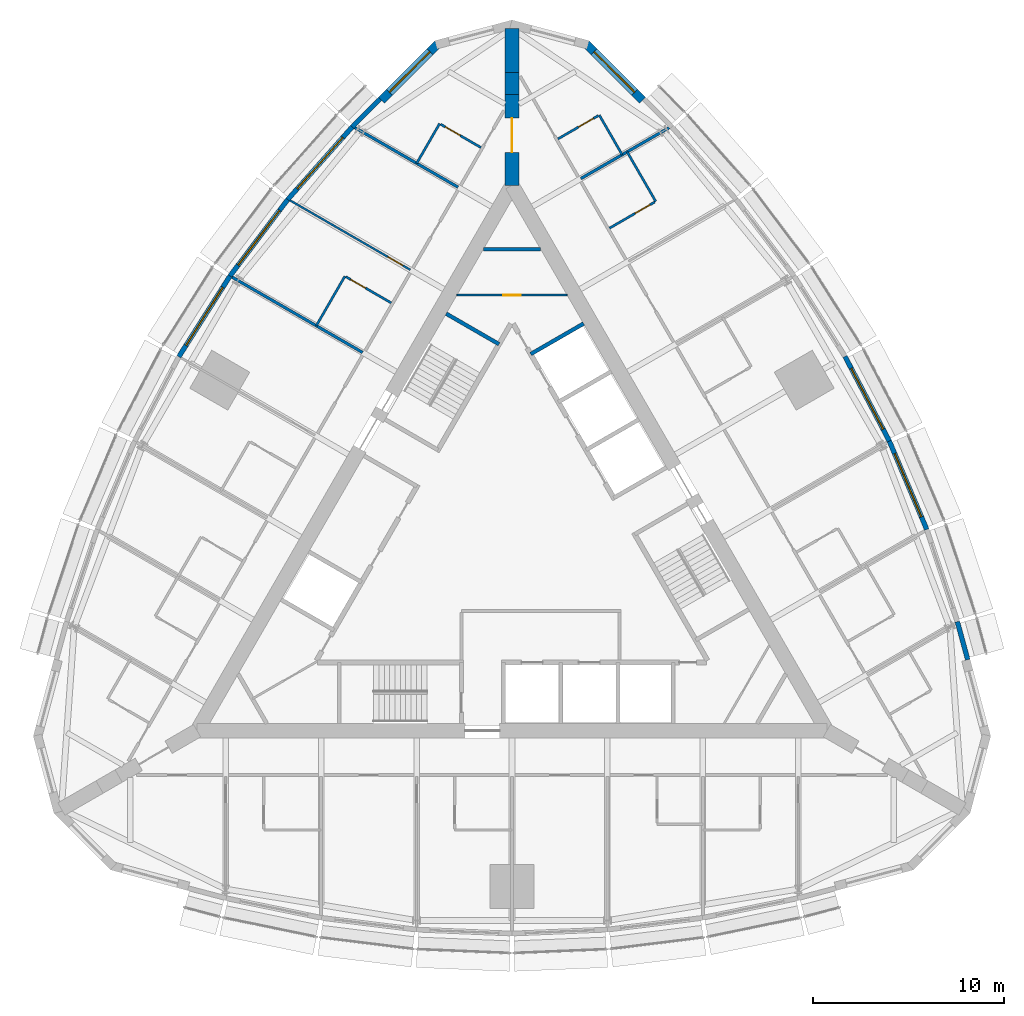
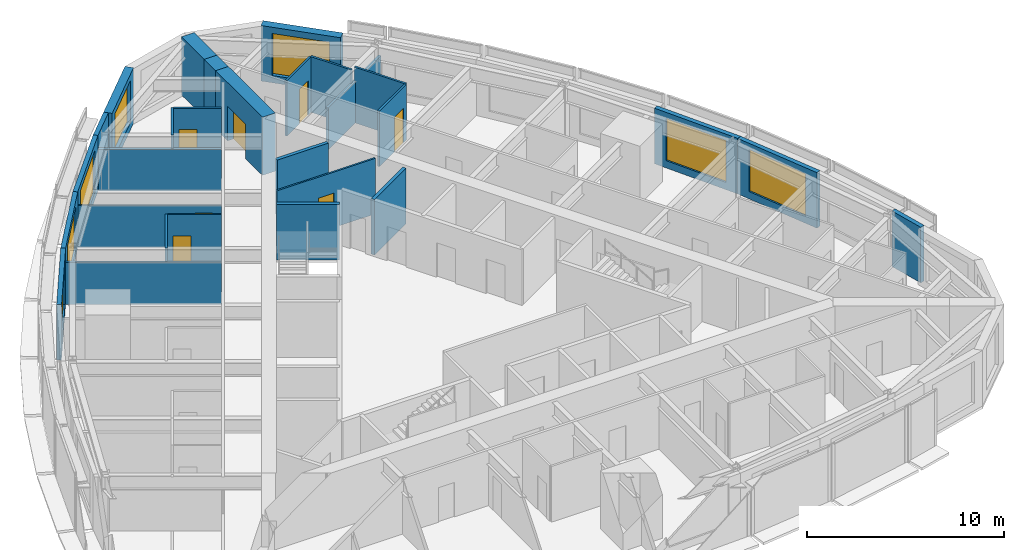
# One storey, part 13 of 15: 28 walls, 7 doors, 7 windows, 14 openings.
"""IFC4 building model written with IfcOpenShell, lengths in metres."""

from ifc_helpers import new_model, si_unit, direction, frame, frame_2d, origin, place, context, subcontext, project, spatial, rectangle, extrude, material, layer, layer_set, type_object, element, fill, save


model = new_model("IFC4")

# Units and contexts
model_context = context("Model", 3, precision=1e-05, world=origin(), true_north=direction((0.0, 1.0)))
body_context = subcontext(model_context, "Body", "Model", "MODEL_VIEW")
ifc_project = project(units=[si_unit("LENGTHUNIT", "METRE"), si_unit("AREAUNIT", "SQUARE_METRE"), si_unit("VOLUMEUNIT", "CUBIC_METRE"), si_unit("PLANEANGLEUNIT", "RADIAN"), si_unit("MASSUNIT", "GRAM", prefix="KILO")], contexts=[model_context])

# Site, building, storey
site_placement = place(None, origin())
site = spatial("IfcSite", under=ifc_project, at=site_placement, CompositionType="ELEMENT")
building_placement = place(site_placement, origin())
building = spatial("IfcBuilding", under=site, at=building_placement, Name="Trikona Tower", CompositionType="ELEMENT")
storey_placement = place(building_placement, frame((0.0, 0.0, 215.300048828125)))
storey = spatial("IfcBuildingStorey", under=building, at=storey_placement, Name="L57", CompositionType="ELEMENT", Elevation=215.300048828125)

# Wall
ifc_material_1 = material(Name="Metal stud and cement board", Category="gypsum")
ifc_layer_1 = layer(ifc_material_1, 0.1201171875)
ifc_layer_set_1 = layer_set([ifc_layer_1], Name="Bathroom wall 120")
wall_type_1 = type_object("IfcWallType", Name="Bathroom wall 120", PredefinedType="PLUMBINGWALL", material=ifc_layer_set_1)
wall_1_placement = place(storey_placement, frame((7.53271484375, 18.205322265625, 0.0), z_axis=(0.0, 0.0, 1.0), x_axis=(-0.499990139034, 0.866031096941, 0.0)))
element("IfcWall", 1, at=wall_1_placement, inside=storey, type_object=wall_type_1, Name="Bathroom wall 5709.1", PredefinedType="PLUMBINGWALL", context=body_context, shape_type="SweptSolid", body=[
    extrude(rectangle(XDim=3.0, YDim=0.1201171875, at=frame_2d((1.5, 0.0))), origin(), (0.0, 0.0, 1.0), 3.43505859375),
])

# Wall, opening, door
wall_2_placement = place(storey_placement, frame((5.10791015625, 16.805419921875, 0.0), z_axis=(0.0, 0.0, 1.0), x_axis=(0.866035715982, 0.499982138324, 0.0)))
wall_2 = element("IfcWall", 2, at=wall_2_placement, inside=storey, type_object=wall_type_1, Name="Bathroom wall 5709.1", PredefinedType="PLUMBINGWALL", context=body_context, shape_type="SweptSolid", body=[
    extrude(rectangle(XDim=2.73974609375, YDim=0.1201171875, at=frame_2d((1.369873046875, 0.0))), origin(), (0.0, 0.0, 1.0), 3.43505859375),
])
opening_1_placement = place(wall_2_placement, frame((1.550048828125, 0.0, 0.0)))
opening_1 = element("IfcOpeningElement", 3, at=opening_1_placement, cuts=wall_2, Name="Opening D2", PredefinedType="OPENING", context=body_context, shape_type="SweptSolid", body=[
    extrude(rectangle(XDim=0.89990234375, YDim=2.1298828125, at=frame_2d((0.449951171875, 1.06494140625))), frame((0.0, 0.070068359375, 0.0), z_axis=(0.0, -1.0, 0.0), x_axis=(1.0, 0.0, 0.0)), (0.0, 0.0, 1.0), 0.14013671875),
])
ifc_material_2 = material(Name="Steel door frame with solid-core timber leaf", Category="steel")
door_type_1 = type_object("IfcDoorType", Name="Bathroom door 900x2130", OperationType="SLIDING_TO_LEFT", PredefinedType="DOOR", material=ifc_material_2)
door_1_placement = place(opening_1_placement, origin())
door_1 = element("IfcDoor", 4, at=door_1_placement, inside=storey, type_object=door_type_1, Name="Bathroom door 5709.1", OperationType="SLIDING_TO_LEFT", OverallHeight=2.1298828125, OverallWidth=0.89990234375, PredefinedType="DOOR", context=body_context, shape_type="SweptSolid", body=[
    extrude(rectangle(XDim=0.89990234375, YDim=2.1298828125, at=frame_2d((0.449951171875, 1.06494140625))), frame((0.0, 0.02490234375, 0.0), z_axis=(0.0, -1.0, 0.0), x_axis=(1.0, 0.0, 0.0)), (0.0, 0.0, 1.0), 0.050048828125),
])
fill(opening_1, door_1)

# Wall
wall_3_placement = place(storey_placement, frame((5.77294921875, 20.653564453125, 0.0), z_axis=(0.0, 0.0, 1.0), x_axis=(-0.500001309137, 0.866024647952, 0.0)))
element("IfcWall", 5, at=wall_3_placement, inside=storey, type_object=wall_type_1, Name="Bathroom wall 5710", PredefinedType="PLUMBINGWALL", context=body_context, shape_type="SweptSolid", body=[
    extrude(rectangle(XDim=2.39990234375, YDim=0.1201171875, at=frame_2d((1.199951171875, 0.0))), origin(), (0.0, 0.0, 1.0), 3.43505859375),
])

# Wall, opening, door
wall_4_placement = place(storey_placement, frame((2.407958984375, 21.48193359375, 0.0), z_axis=(0.0, 0.0, 1.0), x_axis=(0.866023955769, 0.500002508028, 0.0)))
wall_4 = element("IfcWall", 6, at=wall_4_placement, inside=storey, type_object=wall_type_1, Name="Bathroom wall 5710", PredefinedType="PLUMBINGWALL", context=body_context, shape_type="SweptSolid", body=[
    extrude(rectangle(XDim=2.43994140625, YDim=0.1201171875, at=frame_2d((1.219970703125, 0.0))), origin(), (0.0, 0.0, 1.0), 3.43505859375),
])
opening_2_placement = place(wall_4_placement, frame((1.25, 0.0, 0.0)))
opening_2 = element("IfcOpeningElement", 7, at=opening_2_placement, cuts=wall_4, Name="Opening D2", PredefinedType="OPENING", context=body_context, shape_type="SweptSolid", body=[
    extrude(rectangle(XDim=0.89990234375, YDim=2.1298828125, at=frame_2d((0.449951171875, 1.06494140625))), frame((0.0, 0.070068359375, 0.0), z_axis=(0.0, -1.0, 0.0), x_axis=(1.0, 0.0, 0.0)), (0.0, 0.0, 1.0), 0.14013671875),
])
door_2_placement = place(opening_2_placement, origin())
door_2 = element("IfcDoor", 8, at=door_2_placement, inside=storey, type_object=door_type_1, Name="Bathroom door 5710", OperationType="SLIDING_TO_LEFT", OverallHeight=2.1298828125, OverallWidth=0.89990234375, PredefinedType="DOOR", context=body_context, shape_type="SweptSolid", body=[
    extrude(rectangle(XDim=0.89990234375, YDim=2.1298828125, at=frame_2d((0.449951171875, 1.06494140625))), frame((0.0, 0.02490234375, 0.0), z_axis=(0.0, -1.0, 0.0), x_axis=(1.0, 0.0, 0.0)), (0.0, 0.0, 1.0), 0.050048828125),
])
fill(opening_2, door_2)

# Wall
wall_5_placement = place(storey_placement, frame((-3.79345703125, 22.281982421875, 0.0), z_axis=(0.0, 0.0, 1.0), x_axis=(-0.500001309137, -0.866024647952, 0.0)))
element("IfcWall", 9, at=wall_5_placement, inside=storey, type_object=wall_type_1, Name="Bathroom wall 5711", PredefinedType="PLUMBINGWALL", context=body_context, shape_type="SweptSolid", body=[
    extrude(rectangle(XDim=2.39990234375, YDim=0.1201171875, at=frame_2d((1.199951171875, 0.0))), origin(), (0.0, 0.0, 1.0), 3.43505859375),
])

# Wall, opening, door
wall_6_placement = place(storey_placement, frame((-1.62841796875, 21.031982421875, 0.0), z_axis=(0.0, 0.0, 1.0), x_axis=(-0.866048967903, 0.499959183527, 0.0)))
wall_6 = element("IfcWall", 10, at=wall_6_placement, inside=storey, type_object=wall_type_1, Name="Bathroom wall 5711", PredefinedType="PLUMBINGWALL", context=body_context, shape_type="SweptSolid", body=[
    extrude(rectangle(XDim=2.440185546875, YDim=0.1201171875, at=frame_2d((1.22021484375, 0.0))), origin(), (0.0, 0.0, 1.0), 3.43505859375),
])
opening_3_placement = place(wall_6_placement, frame((1.25, 0.0, 0.0)))
opening_3 = element("IfcOpeningElement", 11, at=opening_3_placement, cuts=wall_6, Name="Opening D2", PredefinedType="OPENING", context=body_context, shape_type="SweptSolid", body=[
    extrude(rectangle(XDim=0.89990234375, YDim=2.1298828125, at=frame_2d((0.449951171875, 1.06494140625))), frame((0.0, 0.070068359375, 0.0), z_axis=(0.0, -1.0, 0.0), x_axis=(1.0, 0.0, 0.0)), (0.0, 0.0, 1.0), 0.14013671875),
])
door_3_placement = place(opening_3_placement, origin())
door_3 = element("IfcDoor", 12, at=door_3_placement, inside=storey, type_object=door_type_1, Name="Bathroom door 5711", OperationType="SLIDING_TO_LEFT", OverallHeight=2.1298828125, OverallWidth=0.89990234375, PredefinedType="DOOR", context=body_context, shape_type="SweptSolid", body=[
    extrude(rectangle(XDim=0.89990234375, YDim=2.1298828125, at=frame_2d((0.449951171875, 1.06494140625))), frame((0.0, 0.02490234375, 0.0), z_axis=(0.0, -1.0, 0.0), x_axis=(1.0, 0.0, 0.0)), (0.0, 0.0, 1.0), 0.050048828125),
])
fill(opening_3, door_3)

# Wall
wall_7_placement = place(storey_placement, frame((-8.75341796875, 14.291259765625, 0.0), z_axis=(0.0, 0.0, 1.0), x_axis=(-0.50002537861, -0.866010750942, 0.0)))
element("IfcWall", 13, at=wall_7_placement, inside=storey, type_object=wall_type_1, Name="Bathroom wall 5712.1", PredefinedType="PLUMBINGWALL", context=body_context, shape_type="SweptSolid", body=[
    extrude(rectangle(XDim=2.999755859375, YDim=0.1201171875, at=frame_2d((1.5, 0.0))), origin(), (0.0, 0.0, 1.0), 3.43505859375),
])

# Wall, opening, door
wall_8_placement = place(storey_placement, frame((-6.32861328125, 12.891357421875, 0.0), z_axis=(0.0, 0.0, 1.0), x_axis=(-0.866035715982, 0.499982138324, 0.0)))
wall_8 = element("IfcWall", 14, at=wall_8_placement, inside=storey, type_object=wall_type_1, Name="Bathroom wall 5712.1", PredefinedType="PLUMBINGWALL", context=body_context, shape_type="SweptSolid", body=[
    extrude(rectangle(XDim=2.73974609375, YDim=0.1201171875, at=frame_2d((1.369873046875, 0.0))), origin(), (0.0, 0.0, 1.0), 3.43505859375),
])
opening_4_placement = place(wall_8_placement, frame((1.550048828125, 0.0, 0.0)))
opening_4 = element("IfcOpeningElement", 15, at=opening_4_placement, cuts=wall_8, Name="Opening D2", PredefinedType="OPENING", context=body_context, shape_type="SweptSolid", body=[
    extrude(rectangle(XDim=0.89990234375, YDim=2.1298828125, at=frame_2d((0.449951171875, 1.06494140625))), frame((0.0, 0.070068359375, 0.0), z_axis=(0.0, -1.0, 0.0), x_axis=(1.0, 0.0, 0.0)), (0.0, 0.0, 1.0), 0.14013671875),
])
door_4_placement = place(opening_4_placement, origin())
door_4 = element("IfcDoor", 16, at=door_4_placement, inside=storey, type_object=door_type_1, Name="Bathroom door 5712.1", OperationType="SLIDING_TO_LEFT", OverallHeight=2.1298828125, OverallWidth=0.89990234375, PredefinedType="DOOR", context=body_context, shape_type="SweptSolid", body=[
    extrude(rectangle(XDim=0.89990234375, YDim=2.1298828125, at=frame_2d((0.449951171875, 1.06494140625))), frame((0.0, 0.02490234375, 0.0), z_axis=(0.0, -1.0, 0.0), x_axis=(1.0, 0.0, 0.0)), (0.0, 0.0, 1.0), 0.050048828125),
])
fill(opening_4, door_4)

# Wall, opening, window
ifc_material_3 = material(Name="Brick-faced precast concrete", Category="masonry")
ifc_layer_2 = layer(ifc_material_3, 0.449951171875)
ifc_layer_set_2 = layer_set([ifc_layer_2], Name="Brick-faced corner wall 450")
wall_type_2 = type_object("IfcWallType", Name="Brick-faced corner wall 450", PredefinedType="SOLIDWALL", material=ifc_layer_set_2)
wall_9_placement = place(storey_placement, frame((6.8408203125, 23.51220703125, 0.0), z_axis=(0.0, 0.0, 1.0), x_axis=(-0.707106781187, 0.707106781187, 0.0)))
wall_9 = element("IfcWall", 17, at=wall_9_placement, inside=storey, type_object=wall_type_2, Name="External wall L57-20", PredefinedType="SOLIDWALL", context=body_context, shape_type="SweptSolid", body=[
    extrude(rectangle(XDim=4.183837890625, YDim=0.449951171875, at=frame_2d((2.091796875, 0.0))), origin(), (0.0, 0.0, 1.0), 3.43505859375),
])
opening_5_placement = place(wall_9_placement, frame((0.592041015625, 0.0, 0.449951171875)))
opening_5 = element("IfcOpeningElement", 18, at=opening_5_placement, cuts=wall_9, Name="Opening W3026", PredefinedType="OPENING", context=body_context, shape_type="SweptSolid", body=[
    extrude(rectangle(XDim=3.0, YDim=2.60009765625, at=frame_2d((1.5, 1.300048828125))), frame((0.0, 0.23486328125, 0.0), z_axis=(0.0, -1.0, 0.0), x_axis=(1.0, 0.0, 0.0)), (0.0, 0.0, 1.0), 0.469970703125),
])
ifc_material_4 = material(Name="Aluminium-framed double glazing", Category="aluminium")
window_type_1 = type_object("IfcWindowType", Name="Window 3000x2600", PartitioningType="SINGLE_PANEL", PredefinedType="WINDOW", material=ifc_material_4)
window_1_placement = place(opening_5_placement, origin())
window_1 = element("IfcWindow", 19, at=window_1_placement, inside=storey, type_object=window_type_1, Name="Window 5710", OverallHeight=2.60009765625, OverallWidth=3.0, PartitioningType="SINGLE_PANEL", PredefinedType="WINDOW", context=body_context, shape_type="SweptSolid", body=[
    extrude(rectangle(XDim=3.0, YDim=2.60009765625, at=frame_2d((1.5, 1.300048828125))), frame((0.0, 0.030029296875, 0.0), z_axis=(0.0, -1.0, 0.0), x_axis=(1.0, 0.0, 0.0)), (0.0, 0.0, 1.0), 0.06005859375),
])
fill(opening_5, window_1)

wall_10_placement = place(storey_placement, frame((-3.88232421875, 26.470703125, 0.0), z_axis=(0.0, 0.0, 1.0), x_axis=(-0.707106781187, -0.707106781187, 0.0)))
wall_10 = element("IfcWall", 20, at=wall_10_placement, inside=storey, type_object=wall_type_2, Name="External wall L57-23", PredefinedType="SOLIDWALL", context=body_context, shape_type="SweptSolid", body=[
    extrude(rectangle(XDim=4.183837890625, YDim=0.449951171875, at=frame_2d((2.091796875, 0.0))), origin(), (0.0, 0.0, 1.0), 3.43505859375),
])
opening_6_placement = place(wall_10_placement, frame((0.592041015625, 0.0, 0.449951171875)))
opening_6 = element("IfcOpeningElement", 21, at=opening_6_placement, cuts=wall_10, Name="Opening W3026", PredefinedType="OPENING", context=body_context, shape_type="SweptSolid", body=[
    extrude(rectangle(XDim=3.0, YDim=2.60009765625, at=frame_2d((1.5, 1.300048828125))), frame((0.0, 0.23486328125, 0.0), z_axis=(0.0, -1.0, 0.0), x_axis=(1.0, 0.0, 0.0)), (0.0, 0.0, 1.0), 0.469970703125),
])
window_2_placement = place(opening_6_placement, origin())
window_2 = element("IfcWindow", 22, at=window_2_placement, inside=storey, type_object=window_type_1, Name="Window 5711", OverallHeight=2.60009765625, OverallWidth=3.0, PartitioningType="SINGLE_PANEL", PredefinedType="WINDOW", context=body_context, shape_type="SweptSolid", body=[
    extrude(rectangle(XDim=3.0, YDim=2.60009765625, at=frame_2d((1.5, 1.300048828125))), frame((0.0, 0.030029296875, 0.0), z_axis=(0.0, -1.0, 0.0), x_axis=(1.0, 0.0, 0.0)), (0.0, 0.0, 1.0), 0.06005859375),
])
fill(opening_6, window_2)

# Wall, opening, door
ifc_material_5 = material(Name="Concrete f'c 10000 psi", Category="concrete")
ifc_layer_3 = layer(ifc_material_5, 0.75)
ifc_layer_set_3 = layer_set([ifc_layer_3], Name="Buttress wall 750")
wall_type_3 = type_object("IfcWallType", Name="Buttress wall 750", PredefinedType="SHEAR", material=ifc_layer_set_3)
wall_11_placement = place(storey_placement, frame((0.0, 19.052490234375, 0.0), z_axis=(0.0, 0.0, 1.0), x_axis=(0.0, 1.0, 0.0)))
wall_11 = element("IfcWall", 23, at=wall_11_placement, inside=storey, type_object=wall_type_3, Name="Buttress wall 2", PredefinedType="SHEAR", context=body_context, shape_type="SweptSolid", body=[
    extrude(rectangle(XDim=4.74609375, YDim=0.75, at=frame_2d((2.373046875, 0.0))), origin(), (0.0, 0.0, 1.0), 3.599853515625),
])
opening_7_placement = place(wall_11_placement, frame((1.72509765625, 0.0, 0.0)))
opening_7 = element("IfcOpeningElement", 24, at=opening_7_placement, cuts=wall_11, Name="Opening D10", PredefinedType="OPENING", context=body_context, shape_type="SweptSolid", body=[
    extrude(rectangle(XDim=1.800048828125, YDim=2.1298828125, at=frame_2d((0.89990234375, 1.06494140625))), frame((0.0, 0.385009765625, 0.0), z_axis=(0.0, -1.0, 0.0), x_axis=(1.0, 0.0, 0.0)), (0.0, 0.0, 1.0), 0.77001953125),
])
ifc_material_6 = material(Name="Hollow metal door and frame", Category="steel")
door_type_2 = type_object("IfcDoorType", Name="Cross-corridor door pair 1800x2130", OperationType="DOUBLE_DOOR_DOUBLE_SWING", PredefinedType="DOOR", material=ifc_material_6)
door_5_placement = place(opening_7_placement, origin())
door_5 = element("IfcDoor", 25, at=door_5_placement, inside=storey, type_object=door_type_2, Name="Cross-corridor door 2", OperationType="DOUBLE_DOOR_DOUBLE_SWING", OverallHeight=2.1298828125, OverallWidth=1.800048828125, PredefinedType="DOOR", context=body_context, shape_type="SweptSolid", body=[
    extrude(rectangle(XDim=1.800048828125, YDim=2.1298828125, at=frame_2d((0.89990234375, 1.06494140625))), frame((0.0, 0.02490234375, 0.0), z_axis=(0.0, -1.0, 0.0), x_axis=(1.0, 0.0, 0.0)), (0.0, 0.0, 1.0), 0.050048828125),
])
fill(opening_7, door_5)

# Walls
wall_12_placement = place(storey_placement, frame((0.0, 23.798583984375, 0.0), z_axis=(0.0, 0.0, 1.0), x_axis=(0.0, 1.0, 0.0)))
element("IfcWall", 26, at=wall_12_placement, inside=storey, type_object=wall_type_3, Name="Buttress wall 2 part 2", PredefinedType="SHEAR", context=body_context, shape_type="SweptSolid", body=[
    extrude(rectangle(XDim=1.15478515625, YDim=0.75, at=frame_2d((0.577392578125, 0.0))), origin(), (0.0, 0.0, 1.0), 3.599853515625),
])
wall_13_placement = place(storey_placement, frame((0.0, 24.953369140625, 0.0), z_axis=(0.0, 0.0, 1.0), x_axis=(0.0, 1.0, 0.0)))
element("IfcWall", 27, at=wall_13_placement, inside=storey, type_object=wall_type_3, Name="Buttress wall 2 part 3", PredefinedType="SHEAR", context=body_context, shape_type="SweptSolid", body=[
    extrude(rectangle(XDim=2.309326171875, YDim=0.75, at=frame_2d((1.15478515625, 0.0))), origin(), (0.0, 0.0, 1.0), 3.599853515625),
])
ifc_material_7 = material(Name="Insulated precast concrete spandrel panel", Category="concrete")
ifc_layer_4 = layer(ifc_material_7, 0.25)
ifc_layer_set_4 = layer_set([ifc_layer_4], Name="Inner skin wall 250")
wall_type_4 = type_object("IfcWallType", Name="Inner skin wall 250", PredefinedType="STANDARD", material=ifc_layer_set_4)
wall_14_placement = place(storey_placement, frame((23.87939453125, -5.806396484375, 0.0), z_axis=(0.0, 0.0, 1.0), x_axis=(-0.262867703986, 0.964831887015, 0.0)))
element("IfcWall", 28, at=wall_14_placement, inside=storey, type_object=wall_type_4, Name="External wall L57-12", PredefinedType="STANDARD", context=body_context, shape_type="SweptSolid", body=[
    extrude(rectangle(XDim=2.068359375, YDim=0.25, at=frame_2d((1.0341796875, 0.0))), origin(), (0.0, 0.0, 1.0), 3.43505859375),
])

# Wall, opening, window
wall_15_placement = place(storey_placement, frame((21.73291015625, 1.01806640625, 0.0), z_axis=(0.0, 0.0, 1.0), x_axis=(-0.390096809471, 0.920773848044, 0.0)))
wall_15 = element("IfcWall", 29, at=wall_15_placement, inside=storey, type_object=wall_type_4, Name="External wall L57-14", PredefinedType="STANDARD", context=body_context, shape_type="SweptSolid", body=[
    extrude(rectangle(XDim=5.0380859375, YDim=0.25, at=frame_2d((2.51904296875, 0.0))), origin(), (0.0, 0.0, 1.0), 3.43505859375),
])
opening_8_placement = place(wall_15_placement, frame((0.718994140625, 0.0, 0.449951171875)))
opening_8 = element("IfcOpeningElement", 30, at=opening_8_placement, cuts=wall_15, Name="Opening W3626", PredefinedType="OPENING", context=body_context, shape_type="SweptSolid", body=[
    extrude(rectangle(XDim=3.60009765625, YDim=2.60009765625, at=frame_2d((1.800048828125, 1.300048828125))), frame((0.0, 0.135009765625, 0.0), z_axis=(0.0, -1.0, 0.0), x_axis=(1.0, 0.0, 0.0)), (0.0, 0.0, 1.0), 0.27001953125),
])
ifc_material_8 = material(Name="Aluminium-framed double glazing", Category="aluminium")
window_type_2 = type_object("IfcWindowType", Name="Window 3600x2600", PartitioningType="SINGLE_PANEL", PredefinedType="WINDOW", material=ifc_material_8)
window_3_placement = place(opening_8_placement, origin())
window_3 = element("IfcWindow", 31, at=window_3_placement, inside=storey, type_object=window_type_2, Name="Window 5707", OverallHeight=2.60009765625, OverallWidth=3.60009765625, PartitioningType="SINGLE_PANEL", PredefinedType="WINDOW", context=body_context, shape_type="SweptSolid", body=[
    extrude(rectangle(XDim=3.60009765625, YDim=2.60009765625, at=frame_2d((1.800048828125, 1.300048828125))), frame((0.0, 0.030029296875, 0.0), z_axis=(0.0, -1.0, 0.0), x_axis=(1.0, 0.0, 0.0)), (0.0, 0.0, 1.0), 0.06005859375),
])
fill(opening_8, window_3)

wall_16_placement = place(storey_placement, frame((19.772216796875, 5.64794921875, 0.0), z_axis=(0.0, 0.0, 1.0), x_axis=(-0.463976002579, 0.885847768542, 0.0)))
wall_16 = element("IfcWall", 32, at=wall_16_placement, inside=storey, type_object=wall_type_4, Name="External wall L57-15", PredefinedType="STANDARD", context=body_context, shape_type="SweptSolid", body=[
    extrude(rectangle(XDim=5.004150390625, YDim=0.25, at=frame_2d((2.501953125, 0.0))), origin(), (0.0, 0.0, 1.0), 3.43505859375),
])
opening_9_placement = place(wall_16_placement, frame((0.7021484375, 0.0, 0.449951171875)))
opening_9 = element("IfcOpeningElement", 33, at=opening_9_placement, cuts=wall_16, Name="Opening W3626", PredefinedType="OPENING", context=body_context, shape_type="SweptSolid", body=[
    extrude(rectangle(XDim=3.60009765625, YDim=2.60009765625, at=frame_2d((1.800048828125, 1.300048828125))), frame((0.0, 0.135009765625, 0.0), z_axis=(0.0, -1.0, 0.0), x_axis=(1.0, 0.0, 0.0)), (0.0, 0.0, 1.0), 0.27001953125),
])
window_4_placement = place(opening_9_placement, origin())
window_4 = element("IfcWindow", 34, at=window_4_placement, inside=storey, type_object=window_type_2, Name="Window 5708", OverallHeight=2.60009765625, OverallWidth=3.60009765625, PartitioningType="SINGLE_PANEL", PredefinedType="WINDOW", context=body_context, shape_type="SweptSolid", body=[
    extrude(rectangle(XDim=3.60009765625, YDim=2.60009765625, at=frame_2d((1.800048828125, 1.300048828125))), frame((0.0, 0.030029296875, 0.0), z_axis=(0.0, -1.0, 0.0), x_axis=(1.0, 0.0, 0.0)), (0.0, 0.0, 1.0), 0.06005859375),
])
fill(opening_9, window_4)

# Wall
wall_17_placement = place(storey_placement, frame((-6.9111328125, 23.58349609375, 0.0), z_axis=(0.0, 0.0, 1.0), x_axis=(-0.704149946111, -0.710051303352, 0.0)))
element("IfcWall", 35, at=wall_17_placement, inside=storey, type_object=wall_type_4, Name="External wall L57-24", PredefinedType="STANDARD", context=body_context, shape_type="SweptSolid", body=[
    extrude(rectangle(XDim=2.068603515625, YDim=0.25, at=frame_2d((1.0341796875, 0.0))), origin(), (0.0, 0.0, 1.0), 3.43505859375),
])

# Wall, opening, window
wall_18_placement = place(storey_placement, frame((-8.363037109375, 22.119873046875, 0.0), z_axis=(0.0, 0.0, 1.0), x_axis=(-0.664348996191, -0.747422511876, 0.0)))
wall_18 = element("IfcWall", 36, at=wall_18_placement, inside=storey, type_object=wall_type_4, Name="External wall L57-25", PredefinedType="STANDARD", context=body_context, shape_type="SweptSolid", body=[
    extrude(rectangle(XDim=5.104736328125, YDim=0.25, at=frame_2d((2.55224609375, 0.0))), origin(), (0.0, 0.0, 1.0), 3.43505859375),
])
opening_10_placement = place(wall_18_placement, frame((0.75244140625, 0.0, 0.449951171875)))
opening_10 = element("IfcOpeningElement", 37, at=opening_10_placement, cuts=wall_18, Name="Opening W3626", PredefinedType="OPENING", context=body_context, shape_type="SweptSolid", body=[
    extrude(rectangle(XDim=3.60009765625, YDim=2.60009765625, at=frame_2d((1.800048828125, 1.300048828125))), frame((0.0, 0.135009765625, 0.0), z_axis=(0.0, -1.0, 0.0), x_axis=(1.0, 0.0, 0.0)), (0.0, 0.0, 1.0), 0.27001953125),
])
window_5_placement = place(opening_10_placement, origin())
window_5 = element("IfcWindow", 38, at=window_5_placement, inside=storey, type_object=window_type_2, Name="Window 5712", OverallHeight=2.60009765625, OverallWidth=3.60009765625, PartitioningType="SINGLE_PANEL", PredefinedType="WINDOW", context=body_context, shape_type="SweptSolid", body=[
    extrude(rectangle(XDim=3.60009765625, YDim=2.60009765625, at=frame_2d((1.800048828125, 1.300048828125))), frame((0.0, 0.030029296875, 0.0), z_axis=(0.0, -1.0, 0.0), x_axis=(1.0, 0.0, 0.0)), (0.0, 0.0, 1.0), 0.06005859375),
])
fill(opening_10, window_5)

wall_19_placement = place(storey_placement, frame((-11.748046875, 18.31201171875, 0.0), z_axis=(0.0, 0.0, 1.0), x_axis=(-0.602408653511, -0.798187831388, 0.0)))
wall_19 = element("IfcWall", 39, at=wall_19_placement, inside=storey, type_object=wall_type_4, Name="External wall L57-26", PredefinedType="STANDARD", context=body_context, shape_type="SweptSolid", body=[
    extrude(rectangle(XDim=5.037841796875, YDim=0.25, at=frame_2d((2.51904296875, 0.0))), origin(), (0.0, 0.0, 1.0), 3.43505859375),
])
opening_11_placement = place(wall_19_placement, frame((0.718994140625, 0.0, 0.449951171875)))
opening_11 = element("IfcOpeningElement", 40, at=opening_11_placement, cuts=wall_19, Name="Opening W3626", PredefinedType="OPENING", context=body_context, shape_type="SweptSolid", body=[
    extrude(rectangle(XDim=3.60009765625, YDim=2.60009765625, at=frame_2d((1.800048828125, 1.300048828125))), frame((0.0, 0.135009765625, 0.0), z_axis=(0.0, -1.0, 0.0), x_axis=(1.0, 0.0, 0.0)), (0.0, 0.0, 1.0), 0.27001953125),
])
window_6_placement = place(opening_11_placement, origin())
window_6 = element("IfcWindow", 41, at=window_6_placement, inside=storey, type_object=window_type_2, Name="Window 5712.1", OverallHeight=2.60009765625, OverallWidth=3.60009765625, PartitioningType="SINGLE_PANEL", PredefinedType="WINDOW", context=body_context, shape_type="SweptSolid", body=[
    extrude(rectangle(XDim=3.60009765625, YDim=2.60009765625, at=frame_2d((1.800048828125, 1.300048828125))), frame((0.0, 0.030029296875, 0.0), z_axis=(0.0, -1.0, 0.0), x_axis=(1.0, 0.0, 0.0)), (0.0, 0.0, 1.0), 0.06005859375),
])
fill(opening_11, window_6)

wall_20_placement = place(storey_placement, frame((-14.777099609375, 14.29931640625, 0.0), z_axis=(0.0, 0.0, 1.0), x_axis=(-0.535220361449, -0.844712474568, 0.0)))
wall_20 = element("IfcWall", 42, at=wall_20_placement, inside=storey, type_object=wall_type_4, Name="External wall L57-27", PredefinedType="STANDARD", context=body_context, shape_type="SweptSolid", body=[
    extrude(rectangle(XDim=5.00439453125, YDim=0.25, at=frame_2d((2.502197265625, 0.0))), origin(), (0.0, 0.0, 1.0), 3.43505859375),
])
opening_12_placement = place(wall_20_placement, frame((0.7021484375, 0.0, 0.449951171875)))
opening_12 = element("IfcOpeningElement", 43, at=opening_12_placement, cuts=wall_20, Name="Opening W3626", PredefinedType="OPENING", context=body_context, shape_type="SweptSolid", body=[
    extrude(rectangle(XDim=3.60009765625, YDim=2.60009765625, at=frame_2d((1.800048828125, 1.300048828125))), frame((0.0, 0.135009765625, 0.0), z_axis=(0.0, -1.0, 0.0), x_axis=(1.0, 0.0, 0.0)), (0.0, 0.0, 1.0), 0.27001953125),
])
window_7_placement = place(opening_12_placement, origin())
window_7 = element("IfcWindow", 44, at=window_7_placement, inside=storey, type_object=window_type_2, Name="Window 5713", OverallHeight=2.60009765625, OverallWidth=3.60009765625, PartitioningType="SINGLE_PANEL", PredefinedType="WINDOW", context=body_context, shape_type="SweptSolid", body=[
    extrude(rectangle(XDim=3.60009765625, YDim=2.60009765625, at=frame_2d((1.800048828125, 1.300048828125))), frame((0.0, 0.030029296875, 0.0), z_axis=(0.0, -1.0, 0.0), x_axis=(1.0, 0.0, 0.0)), (0.0, 0.0, 1.0), 0.06005859375),
])
fill(opening_12, window_7)

# Walls
ifc_material_9 = material(Name="Metal stud and gypsum board, 1-hour acoustic", Category="gypsum")
ifc_layer_5 = layer(ifc_material_9, 0.14990234375)
ifc_layer_set_5 = layer_set([ifc_layer_5], Name="Party wall 150")
wall_type_5 = type_object("IfcWallType", Name="Party wall 150", PredefinedType="PARTITIONING", material=ifc_layer_set_5)
wall_21_placement = place(storey_placement, frame((3.60791015625, 19.403564453125, 0.0), z_axis=(0.0, 0.0, 1.0), x_axis=(0.866028745538, 0.499994211868, 0.0)))
element("IfcWall", 45, at=wall_21_placement, inside=storey, type_object=wall_type_5, Name="Partition L57 F2 u15", PredefinedType="PARTITIONING", context=body_context, shape_type="SweptSolid", body=[
    extrude(rectangle(XDim=5.33984375, YDim=0.14990234375, at=frame_2d((2.669921875, 0.0))), origin(), (0.0, 0.0, 1.0), 2.589111328125),
])
wall_22_placement = place(storey_placement, frame((-2.82861328125, 18.95361328125, 0.0), z_axis=(0.0, 0.0, 1.0), x_axis=(-0.866026604282, 0.499997920671, 0.0)))
element("IfcWall", 46, at=wall_22_placement, inside=storey, type_object=wall_type_5, Name="Partition L57 F3 u-15", PredefinedType="PARTITIONING", context=body_context, shape_type="SweptSolid", body=[
    extrude(rectangle(XDim=6.23974609375, YDim=0.14990234375, at=frame_2d((3.119873046875, 0.0))), origin(), (0.0, 0.0, 1.0), 2.589111328125),
])
wall_23_placement = place(storey_placement, frame((-7.82861328125, 10.293212890625, 0.0), z_axis=(0.0, 0.0, 1.0), x_axis=(-0.866030558329, 0.49999107196, 0.0)))
element("IfcWall", 47, at=wall_23_placement, inside=storey, type_object=wall_type_5, Name="Partition L57 F3 u-5", PredefinedType="PARTITIONING", context=body_context, shape_type="SweptSolid", body=[
    extrude(rectangle(XDim=7.893798828125, YDim=0.14990234375, at=frame_2d((3.94677734375, 0.0))), origin(), (0.0, 0.0, 1.0), 2.589111328125),
])
ifc_material_10 = material(Name="Concrete f'c 8000 psi", Category="concrete")
ifc_layer_6 = layer(ifc_material_10, 0.199951171875)
ifc_layer_set_6 = layer_set([ifc_layer_6], Name="Shaft wall 200")
wall_type_6 = type_object("IfcWallType", Name="Shaft wall 200", PredefinedType="SOLIDWALL", material=ifc_layer_set_6)
wall_24_placement = place(storey_placement, frame((0.97900390625, 10.20703125, 0.0), z_axis=(0.0, 0.0, 1.0), x_axis=(0.866042017984, 0.499971222258, 0.0)))
element("IfcWall", 48, at=wall_24_placement, inside=storey, type_object=wall_type_6, Name="Shaft wall B6", PredefinedType="SOLIDWALL", context=body_context, shape_type="SweptSolid", body=[
    extrude(rectangle(XDim=3.199951171875, YDim=0.199951171875, at=frame_2d((1.60009765625, 0.0))), origin(), (0.0, 0.0, 1.0), 3.43505859375),
])
wall_25_placement = place(storey_placement, frame((-1.501220703125, 15.70263671875, 0.0), z_axis=(0.0, 0.0, 1.0), x_axis=(1.0, 0.0, 0.0)))
element("IfcWall", 49, at=wall_25_placement, inside=storey, type_object=wall_type_6, Name="Riser wall L57-RS2", PredefinedType="SOLIDWALL", context=body_context, shape_type="SweptSolid", body=[
    extrude(rectangle(XDim=3.00244140625, YDim=0.199951171875, at=frame_2d((1.501220703125, 0.0))), origin(), (0.0, 0.0, 1.0), 3.43505859375),
])
ifc_material_11 = material(Name="Concrete f'c 8000 psi", Category="concrete")
ifc_layer_7 = layer(ifc_material_11, 0.199951171875)
ifc_layer_set_7 = layer_set([ifc_layer_7], Name="Shaft wall 200 load-bearing")
wall_type_7 = type_object("IfcWallType", Name="Shaft wall 200 load-bearing", PredefinedType="SOLIDWALL", material=ifc_layer_set_7)
wall_26_placement = place(storey_placement, frame((-0.678955078125, 10.7265625, 0.0), z_axis=(0.0, 0.0, 1.0), x_axis=(-0.866008981251, 0.500028443584, 0.0)))
element("IfcWall", 50, at=wall_26_placement, inside=storey, type_object=wall_type_7, Name="Shaft wall C1", PredefinedType="SOLIDWALL", context=body_context, shape_type="SweptSolid", body=[
    extrude(rectangle(XDim=3.199951171875, YDim=0.199951171875, at=frame_2d((1.60009765625, 0.0))), origin(), (0.0, 0.0, 1.0), 3.43505859375),
])

# Wall, opening, door
ifc_material_12 = material(Name="Metal stud and gypsum board, acoustic", Category="gypsum")
ifc_layer_8 = layer(ifc_material_12, 0.10009765625)
ifc_layer_set_8 = layer_set([ifc_layer_8], Name="Suite partition 100")
wall_type_8 = type_object("IfcWallType", Name="Suite partition 100", PredefinedType="PARTITIONING", material=ifc_layer_set_8)
wall_27_placement = place(storey_placement, frame((-5.32861328125, 14.623291015625, 0.0), z_axis=(0.0, 0.0, 1.0), x_axis=(-0.866017877653, 0.500013035415, 0.0)))
wall_27 = element("IfcWall", 51, at=wall_27_placement, inside=storey, type_object=wall_type_8, Name="Suite partition L57 F3 u-10", PredefinedType="PARTITIONING", context=body_context, shape_type="SweptSolid", body=[
    extrude(rectangle(XDim=7.272705078125, YDim=0.10009765625, at=frame_2d((3.63623046875, 0.0))), origin(), (0.0, 0.0, 1.0), 2.589111328125),
])
opening_13_placement = place(wall_27_placement, frame((0.449951171875, 0.0, 0.0)))
opening_13 = element("IfcOpeningElement", 52, at=opening_13_placement, cuts=wall_27, Name="Opening D13", PredefinedType="OPENING", context=body_context, shape_type="SweptSolid", body=[
    extrude(rectangle(XDim=0.89990234375, YDim=2.1298828125, at=frame_2d((0.449951171875, 1.06494140625))), frame((0.0, 0.06005859375, 0.0), z_axis=(0.0, -1.0, 0.0), x_axis=(1.0, 0.0, 0.0)), (0.0, 0.0, 1.0), 0.1201171875),
])
ifc_material_13 = material(Name="Steel door frame with solid-core timber leaf", Category="steel")
door_type_3 = type_object("IfcDoorType", Name="Suite door 900x2130", OperationType="SINGLE_SWING_LEFT", PredefinedType="DOOR", material=ifc_material_13)
door_6_placement = place(opening_13_placement, origin())
door_6 = element("IfcDoor", 53, at=door_6_placement, inside=storey, type_object=door_type_3, Name="Suite door 5712", OperationType="SINGLE_SWING_LEFT", OverallHeight=2.1298828125, OverallWidth=0.89990234375, PredefinedType="DOOR", context=body_context, shape_type="SweptSolid", body=[
    extrude(rectangle(XDim=0.89990234375, YDim=2.1298828125, at=frame_2d((0.449951171875, 1.06494140625))), frame((0.0, 0.02490234375, 0.0), z_axis=(0.0, -1.0, 0.0), x_axis=(1.0, 0.0, 0.0)), (0.0, 0.0, 1.0), 0.050048828125),
])
fill(opening_13, door_6)

wall_28_placement = place(storey_placement, frame((-2.88671875, 13.302490234375, 0.0), z_axis=(0.0, 0.0, 1.0), x_axis=(1.0, 0.0, 0.0)))
wall_28 = element("IfcWall", 54, at=wall_28_placement, inside=storey, type_object=wall_type_8, Name="Store partition L57-RS2", PredefinedType="PARTITIONING", context=body_context, shape_type="SweptSolid", body=[
    extrude(rectangle(XDim=5.7734375, YDim=0.10009765625, at=frame_2d((2.88671875, 0.0))), origin(), (0.0, 0.0, 1.0), 3.43505859375),
])
opening_14_placement = place(wall_28_placement, frame((2.436767578125, 0.0, 0.0)))
opening_14 = element("IfcOpeningElement", 55, at=opening_14_placement, cuts=wall_28, Name="Opening D15", PredefinedType="OPENING", context=body_context, shape_type="SweptSolid", body=[
    extrude(rectangle(XDim=0.89990234375, YDim=2.1298828125, at=frame_2d((0.449951171875, 1.06494140625))), frame((0.0, 0.06005859375, 0.0), z_axis=(0.0, -1.0, 0.0), x_axis=(1.0, 0.0, 0.0)), (0.0, 0.0, 1.0), 0.1201171875),
])
ifc_material_14 = material(Name="Steel door frame with solid-core timber leaf", Category="steel")
door_type_4 = type_object("IfcDoorType", Name="Store door 900x2130", OperationType="SINGLE_SWING_LEFT", PredefinedType="DOOR", material=ifc_material_14)
door_7_placement = place(opening_14_placement, origin())
door_7 = element("IfcDoor", 56, at=door_7_placement, inside=storey, type_object=door_type_4, Name="Door Storage STO", OperationType="SINGLE_SWING_RIGHT", OverallHeight=2.1298828125, OverallWidth=0.89990234375, PredefinedType="DOOR", context=body_context, shape_type="SweptSolid", body=[
    extrude(rectangle(XDim=0.89990234375, YDim=2.1298828125, at=frame_2d((0.449951171875, 1.06494140625))), frame((0.0, 0.02490234375, 0.0), z_axis=(0.0, -1.0, 0.0), x_axis=(1.0, 0.0, 0.0)), (0.0, 0.0, 1.0), 0.050048828125),
])
fill(opening_14, door_7)

save(model, "model.ifc")
